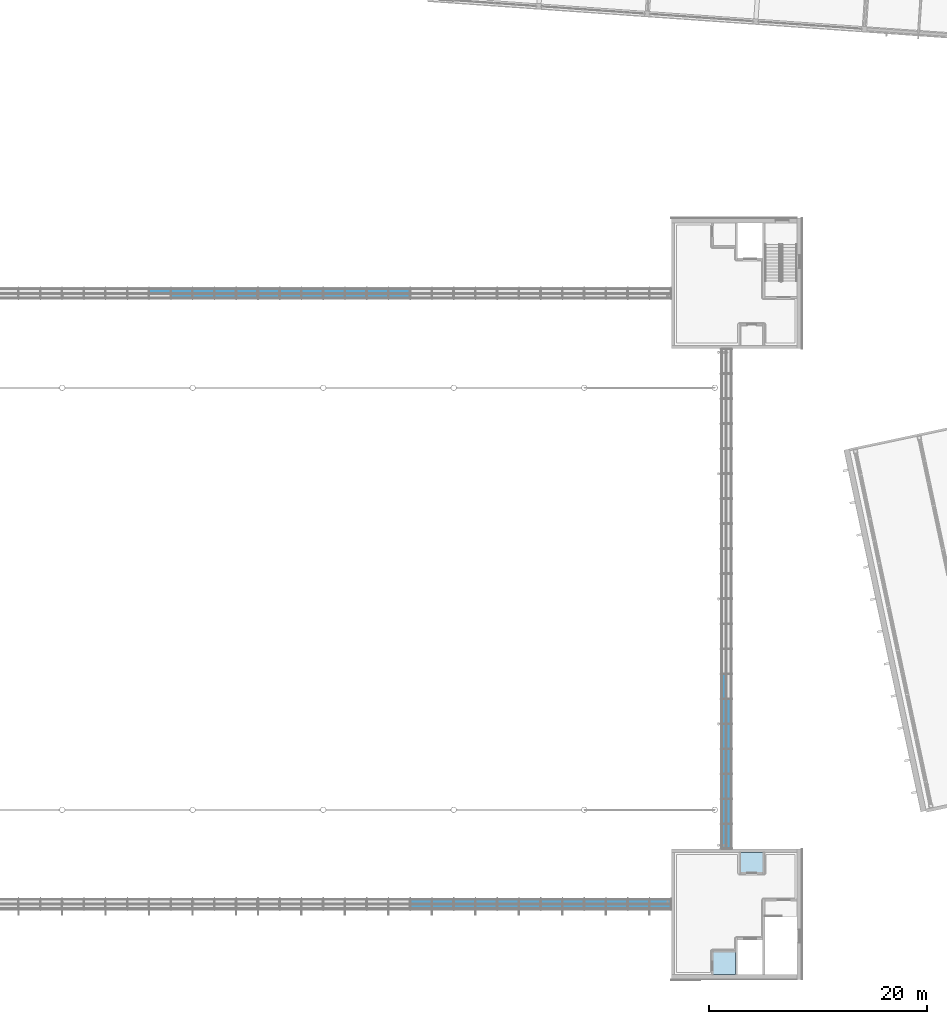
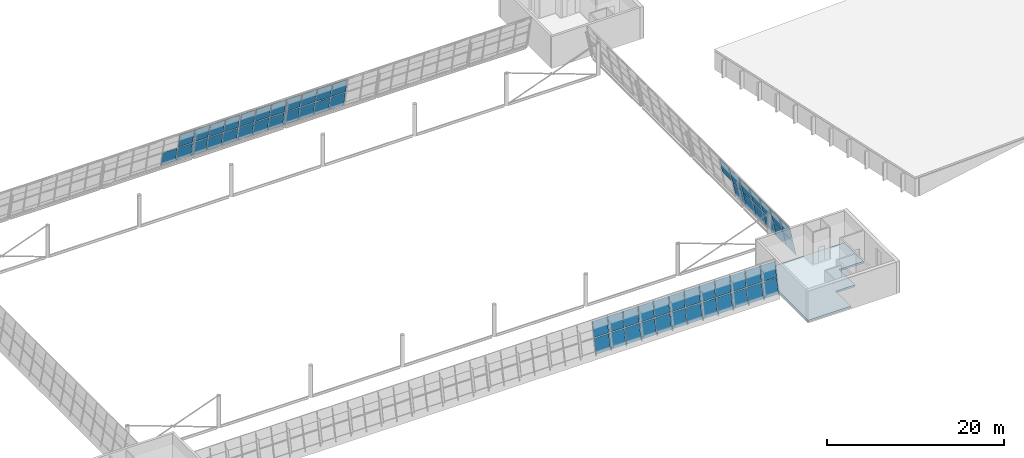
# One storey, part 25 of 50: 60 plates, 1 slab, 4 elements without a shape of their own.
"""IFC4 building model written with IfcOpenShell, lengths in metres."""

from ifc_helpers import new_model, si_unit, direction, frame, origin, place, context, subcontext, project, spatial, polyline, outline, extrude, material, layer, layer_set, type_object, element, aggregate, save


model = new_model("IFC4")

# Units and contexts
model_context = context("Model", 3, precision=1e-05, world=origin(), true_north=direction((0.0, 1.0)))
body_context = subcontext(model_context, "Body", "Model", "MODEL_VIEW")
ifc_project = project(units=[si_unit("LENGTHUNIT", "METRE"), si_unit("AREAUNIT", "SQUARE_METRE"), si_unit("VOLUMEUNIT", "CUBIC_METRE"), si_unit("PLANEANGLEUNIT", "RADIAN"), si_unit("MASSUNIT", "GRAM", prefix="KILO")], contexts=[model_context])

# Site, building, storey
site_placement = place(None, origin())
site = spatial("IfcSite", under=ifc_project, at=site_placement, CompositionType="ELEMENT")
building_placement = place(site_placement, origin())
building = spatial("IfcBuilding", under=site, at=building_placement, Name="Windward Yard Aquatics Centre", CompositionType="ELEMENT")
storey_placement = place(building_placement, frame((0.0, 0.0, 18.199951171875)))
storey = spatial("IfcBuildingStorey", under=building, at=storey_placement, Name="L04", CompositionType="ELEMENT", Elevation=18.199951171875)

# Slab
ifc_material_1 = material(Name="Concrete C35/45", Category="concrete")
ifc_layer_1 = layer(ifc_material_1, 0.25)
ifc_layer_set_1 = layer_set([ifc_layer_1], Name="H Core Floor Concrete C35/45 250")
slab_type = type_object("IfcSlabType", Name="H Core Floor Concrete C35/45 250", PredefinedType="FLOOR", material=ifc_layer_set_1)
slab_placement = place(storey_placement, frame((0.0, 0.0, -0.25)))
element("IfcSlab", 1, at=slab_placement, inside=storey, type_object=slab_type, Name="L04 core floor SE", PredefinedType="FLOOR", context=body_context, shape_type="SweptSolid", body=[
    extrude(outline(polyline([(140.300048828125, 26.449951171875), (145.89990234375, 26.449951171875), (145.89990234375, 29.85009765625), (148.39990234375, 29.85009765625), (148.39990234375, 33.39990234375), (151.550048828125, 33.39990234375), (151.550048828125, 37.699951171875), (140.300048828125, 37.699951171875), (140.300048828125, 26.449951171875)])), origin(), (0.0, 0.0, 1.0), 0.25),
])

# Curtain wall, plates
ifc_material_2 = material(Name="Glass and aluminium curtain wall", Category="aluminium")
ifc_layer_2 = layer(ifc_material_2, 0.179931640625)
ifc_layer_set_2 = layer_set([ifc_layer_2], Name="H curtain wall tier 2 double glazed 6+16+6")
curtain_wall_type = type_object("IfcCurtainWallType", Name="H curtain wall tier 2 double glazed 6+16+6", PredefinedType="NOTDEFINED", material=ifc_layer_set_2)
curtain_wall_1_placement = place(storey_placement, origin())
curtain_wall_1 = element("IfcCurtainWall", 2, at=curtain_wall_1_placement, inside=storey, type_object=curtain_wall_type, Name="Tier 2 glazing S L04", PredefinedType="NOTDEFINED")
ifc_material_3 = material(Name="Low-iron glass", Category="glass")
ifc_layer_3 = layer(ifc_material_3, 0.006, Name="Outer pane")
ifc_material_4 = material(Name="Argon-filled cavity")
ifc_layer_4 = layer(ifc_material_4, 0.016, Name="Cavity")
ifc_layer_5 = layer(ifc_material_3, 0.006, Name="Inner pane")
ifc_layer_set_3 = layer_set([ifc_layer_3, ifc_layer_4, ifc_layer_5], Name="H tier 2 glass low-e double glazed unit 28")
plate_type = type_object("IfcPlateType", Name="H tier 2 glass low-e double glazed unit 28", PredefinedType="CURTAIN_PANEL", material=ifc_layer_set_3)
plate_1_placement = place(storey_placement, frame((116.03564453125, 32.511474609375, 0.100830078125), z_axis=(0.0, -0.979933459069, 0.199324900092), x_axis=(1.0, 0.0, 0.0)))
plate_1 = element("IfcPlate", 3, at=plate_1_placement, type_object=plate_type, Name="G2SB panel 8.1", PredefinedType="CURTAIN_PANEL", context=body_context, shape_type="SweptSolid", body=[
    extrude(outline(polyline([(0.0, 0.0), (1.934814, 0.0), (1.934814, 2.018532), (0.0, 2.018532), (0.0, 0.0)])), origin(), (0.0, 0.0, -1.0), 0.028076171875),
])
plate_2_placement = place(storey_placement, frame((116.03564453125, 32.933837890625, 2.1767578125), z_axis=(0.0, -0.979926619255, 0.199358523457), x_axis=(1.0, 0.0, 0.0)))
plate_2 = element("IfcPlate", 4, at=plate_2_placement, type_object=plate_type, Name="G2SB panel 8.2", PredefinedType="CURTAIN_PANEL", context=body_context, shape_type="SweptSolid", body=[
    extrude(outline(polyline([(0.0, 0.0), (1.934814, 0.0), (1.934814, 2.012069), (0.0, 2.012069), (0.0, 0.0)])), origin(), (0.0, 0.0, -1.0), 0.028076171875),
])
plate_3_placement = place(storey_placement, frame((118.035400390625, 32.511474609375, 0.100830078125), z_axis=(0.0, -0.979933459069, 0.199324900092), x_axis=(1.0, 0.0, 0.0)))
plate_3 = element("IfcPlate", 5, at=plate_3_placement, type_object=plate_type, Name="G2SB panel 9.1", PredefinedType="CURTAIN_PANEL", context=body_context, shape_type="SweptSolid", body=[
    extrude(outline(polyline([(0.0, 0.0), (1.934814, 0.0), (1.934814, 2.018532), (0.0, 2.018532), (0.0, 0.0)])), origin(), (0.0, 0.0, -1.0), 0.028076171875),
])
plate_4_placement = place(storey_placement, frame((118.035400390625, 32.933837890625, 2.1767578125), z_axis=(0.0, -0.979926619255, 0.199358523457), x_axis=(1.0, 0.0, 0.0)))
plate_4 = element("IfcPlate", 6, at=plate_4_placement, type_object=plate_type, Name="G2SB panel 9.2", PredefinedType="CURTAIN_PANEL", context=body_context, shape_type="SweptSolid", body=[
    extrude(outline(polyline([(0.0, 0.0), (1.934814, 0.0), (1.934814, 2.012069), (0.0, 2.012069), (0.0, 0.0)])), origin(), (0.0, 0.0, -1.0), 0.028076171875),
])
plate_5_placement = place(storey_placement, frame((120.03515625, 32.511474609375, 0.100830078125), z_axis=(0.0, -0.979933459069, 0.199324900092), x_axis=(1.0, 0.0, 0.0)))
plate_5 = element("IfcPlate", 7, at=plate_5_placement, type_object=plate_type, Name="G2SB panel 10.1", PredefinedType="CURTAIN_PANEL", context=body_context, shape_type="SweptSolid", body=[
    extrude(outline(polyline([(0.0, 0.0), (1.934814, 0.0), (1.934814, 2.018532), (0.0, 2.018532), (0.0, 0.0)])), origin(), (0.0, 0.0, -1.0), 0.028076171875),
])
plate_6_placement = place(storey_placement, frame((120.03515625, 32.933837890625, 2.1767578125), z_axis=(0.0, -0.979926619255, 0.199358523457), x_axis=(1.0, 0.0, 0.0)))
plate_6 = element("IfcPlate", 8, at=plate_6_placement, type_object=plate_type, Name="G2SB panel 10.2", PredefinedType="CURTAIN_PANEL", context=body_context, shape_type="SweptSolid", body=[
    extrude(outline(polyline([(0.0, 0.0), (1.934814, 0.0), (1.934814, 2.012069), (0.0, 2.012069), (0.0, 0.0)])), origin(), (0.0, 0.0, -1.0), 0.028076171875),
])
plate_7_placement = place(storey_placement, frame((122.034912109375, 32.511474609375, 0.100830078125), z_axis=(0.0, -0.979933459069, 0.199324900092), x_axis=(1.0, 0.0, 0.0)))
plate_7 = element("IfcPlate", 9, at=plate_7_placement, type_object=plate_type, Name="G2SB panel 11.1", PredefinedType="CURTAIN_PANEL", context=body_context, shape_type="SweptSolid", body=[
    extrude(outline(polyline([(0.0, 0.0), (1.934814, 0.0), (1.934814, 2.018532), (0.0, 2.018532), (0.0, 0.0)])), origin(), (0.0, 0.0, -1.0), 0.028076171875),
])
plate_8_placement = place(storey_placement, frame((122.034912109375, 32.933837890625, 2.1767578125), z_axis=(0.0, -0.979926619255, 0.199358523457), x_axis=(1.0, 0.0, 0.0)))
plate_8 = element("IfcPlate", 10, at=plate_8_placement, type_object=plate_type, Name="G2SB panel 11.2", PredefinedType="CURTAIN_PANEL", context=body_context, shape_type="SweptSolid", body=[
    extrude(outline(polyline([(0.0, 0.0), (1.934814, 0.0), (1.934814, 2.012069), (0.0, 2.012069), (0.0, 0.0)])), origin(), (0.0, 0.0, -1.0), 0.028076171875),
])
plate_9_placement = place(storey_placement, frame((124.03466796875, 32.511474609375, 0.100830078125), z_axis=(0.0, -0.979933459069, 0.199324900092), x_axis=(1.0, 0.0, 0.0)))
plate_9 = element("IfcPlate", 11, at=plate_9_placement, type_object=plate_type, Name="G2SB panel 12.1", PredefinedType="CURTAIN_PANEL", context=body_context, shape_type="SweptSolid", body=[
    extrude(outline(polyline([(0.0, 0.0), (1.93457, 0.0), (1.93457, 2.018532), (0.0, 2.018532), (0.0, 0.0)])), origin(), (0.0, 0.0, -1.0), 0.028076171875),
])
plate_10_placement = place(storey_placement, frame((124.03466796875, 32.933837890625, 2.1767578125), z_axis=(0.0, -0.979926619255, 0.199358523457), x_axis=(1.0, 0.0, 0.0)))
plate_10 = element("IfcPlate", 12, at=plate_10_placement, type_object=plate_type, Name="G2SB panel 12.2", PredefinedType="CURTAIN_PANEL", context=body_context, shape_type="SweptSolid", body=[
    extrude(outline(polyline([(0.0, 0.0), (1.93457, 0.0), (1.93457, 2.012069), (0.0, 2.012069), (0.0, 0.0)])), origin(), (0.0, 0.0, -1.0), 0.028076171875),
])
plate_11_placement = place(storey_placement, frame((126.034423828125, 32.511474609375, 0.100830078125), z_axis=(0.0, -0.979933459069, 0.199324900092), x_axis=(1.0, 0.0, 0.0)))
plate_11 = element("IfcPlate", 13, at=plate_11_placement, type_object=plate_type, Name="G2SB panel 13.1", PredefinedType="CURTAIN_PANEL", context=body_context, shape_type="SweptSolid", body=[
    extrude(outline(polyline([(0.0, 0.0), (1.93457, 0.0), (1.93457, 2.018532), (0.0, 2.018532), (0.0, 0.0)])), origin(), (0.0, 0.0, -1.0), 0.028076171875),
])
plate_12_placement = place(storey_placement, frame((126.034423828125, 32.933837890625, 2.1767578125), z_axis=(0.0, -0.979926619255, 0.199358523457), x_axis=(1.0, 0.0, 0.0)))
plate_12 = element("IfcPlate", 14, at=plate_12_placement, type_object=plate_type, Name="G2SB panel 13.2", PredefinedType="CURTAIN_PANEL", context=body_context, shape_type="SweptSolid", body=[
    extrude(outline(polyline([(0.0, 0.0), (1.93457, 0.0), (1.93457, 2.012069), (0.0, 2.012069), (0.0, 0.0)])), origin(), (0.0, 0.0, -1.0), 0.028076171875),
])
plate_13_placement = place(storey_placement, frame((128.0341796875, 32.511474609375, 0.100830078125), z_axis=(0.0, -0.979933459069, 0.199324900092), x_axis=(1.0, 0.0, 0.0)))
plate_13 = element("IfcPlate", 15, at=plate_13_placement, type_object=plate_type, Name="G2SB panel 14.1", PredefinedType="CURTAIN_PANEL", context=body_context, shape_type="SweptSolid", body=[
    extrude(outline(polyline([(0.0, 0.0), (1.93457, 0.0), (1.93457, 2.018532), (0.0, 2.018532), (0.0, 0.0)])), origin(), (0.0, 0.0, -1.0), 0.028076171875),
])
plate_14_placement = place(storey_placement, frame((128.0341796875, 32.933837890625, 2.1767578125), z_axis=(0.0, -0.979926619255, 0.199358523457), x_axis=(1.0, 0.0, 0.0)))
plate_14 = element("IfcPlate", 16, at=plate_14_placement, type_object=plate_type, Name="G2SB panel 14.2", PredefinedType="CURTAIN_PANEL", context=body_context, shape_type="SweptSolid", body=[
    extrude(outline(polyline([(0.0, 0.0), (1.93457, 0.0), (1.93457, 2.012069), (0.0, 2.012069), (0.0, 0.0)])), origin(), (0.0, 0.0, -1.0), 0.028076171875),
])
plate_15_placement = place(storey_placement, frame((130.033935546875, 32.511474609375, 0.100830078125), z_axis=(0.0, -0.979933459069, 0.199324900092), x_axis=(1.0, 0.0, 0.0)))
plate_15 = element("IfcPlate", 17, at=plate_15_placement, type_object=plate_type, Name="G2SB panel 15.1", PredefinedType="CURTAIN_PANEL", context=body_context, shape_type="SweptSolid", body=[
    extrude(outline(polyline([(0.0, 0.0), (1.93457, 0.0), (1.93457, 2.018532), (0.0, 2.018532), (0.0, 0.0)])), origin(), (0.0, 0.0, -1.0), 0.028076171875),
])
plate_16_placement = place(storey_placement, frame((130.033935546875, 32.933837890625, 2.1767578125), z_axis=(0.0, -0.979926619255, 0.199358523457), x_axis=(1.0, 0.0, 0.0)))
plate_16 = element("IfcPlate", 18, at=plate_16_placement, type_object=plate_type, Name="G2SB panel 15.2", PredefinedType="CURTAIN_PANEL", context=body_context, shape_type="SweptSolid", body=[
    extrude(outline(polyline([(0.0, 0.0), (1.93457, 0.0), (1.93457, 2.012069), (0.0, 2.012069), (0.0, 0.0)])), origin(), (0.0, 0.0, -1.0), 0.028076171875),
])
plate_17_placement = place(storey_placement, frame((132.033447265625, 32.511474609375, 0.100830078125), z_axis=(0.0, -0.979933459069, 0.199324900092), x_axis=(1.0, 0.0, 0.0)))
plate_17 = element("IfcPlate", 19, at=plate_17_placement, type_object=plate_type, Name="G2SB panel 16.1", PredefinedType="CURTAIN_PANEL", context=body_context, shape_type="SweptSolid", body=[
    extrude(outline(polyline([(0.0, 0.0), (1.934814, 0.0), (1.934814, 2.018532), (0.0, 2.018532), (0.0, 0.0)])), origin(), (0.0, 0.0, -1.0), 0.028076171875),
])
plate_18_placement = place(storey_placement, frame((132.033447265625, 32.933837890625, 2.1767578125), z_axis=(0.0, -0.979926619255, 0.199358523457), x_axis=(1.0, 0.0, 0.0)))
plate_18 = element("IfcPlate", 20, at=plate_18_placement, type_object=plate_type, Name="G2SB panel 16.2", PredefinedType="CURTAIN_PANEL", context=body_context, shape_type="SweptSolid", body=[
    extrude(outline(polyline([(0.0, 0.0), (1.934814, 0.0), (1.934814, 2.012069), (0.0, 2.012069), (0.0, 0.0)])), origin(), (0.0, 0.0, -1.0), 0.028076171875),
])
plate_19_placement = place(storey_placement, frame((134.033203125, 32.511474609375, 0.100830078125), z_axis=(0.0, -0.979933459069, 0.199324900092), x_axis=(1.0, 0.0, 0.0)))
plate_19 = element("IfcPlate", 21, at=plate_19_placement, type_object=plate_type, Name="G2SB panel 17.1", PredefinedType="CURTAIN_PANEL", context=body_context, shape_type="SweptSolid", body=[
    extrude(outline(polyline([(0.0, 0.0), (1.934814, 0.0), (1.934814, 2.018532), (0.0, 2.018532), (0.0, 0.0)])), origin(), (0.0, 0.0, -1.0), 0.028076171875),
])
plate_20_placement = place(storey_placement, frame((134.033203125, 32.933837890625, 2.1767578125), z_axis=(0.0, -0.979926619255, 0.199358523457), x_axis=(1.0, 0.0, 0.0)))
plate_20 = element("IfcPlate", 22, at=plate_20_placement, type_object=plate_type, Name="G2SB panel 17.2", PredefinedType="CURTAIN_PANEL", context=body_context, shape_type="SweptSolid", body=[
    extrude(outline(polyline([(0.0, 0.0), (1.934814, 0.0), (1.934814, 2.012069), (0.0, 2.012069), (0.0, 0.0)])), origin(), (0.0, 0.0, -1.0), 0.028076171875),
])
plate_21_placement = place(storey_placement, frame((136.032958984375, 32.511474609375, 0.100830078125), z_axis=(0.0, -0.979933459069, 0.199324900092), x_axis=(1.0, 0.0, 0.0)))
plate_21 = element("IfcPlate", 23, at=plate_21_placement, type_object=plate_type, Name="G2SB panel 18.1", PredefinedType="CURTAIN_PANEL", context=body_context, shape_type="SweptSolid", body=[
    extrude(outline(polyline([(0.0, 0.0), (1.934814, 0.0), (1.934814, 2.018532), (0.0, 2.018532), (0.0, 0.0)])), origin(), (0.0, 0.0, -1.0), 0.028076171875),
])
plate_22_placement = place(storey_placement, frame((136.032958984375, 32.933837890625, 2.1767578125), z_axis=(0.0, -0.979926619255, 0.199358523457), x_axis=(1.0, 0.0, 0.0)))
plate_22 = element("IfcPlate", 24, at=plate_22_placement, type_object=plate_type, Name="G2SB panel 18.2", PredefinedType="CURTAIN_PANEL", context=body_context, shape_type="SweptSolid", body=[
    extrude(outline(polyline([(0.0, 0.0), (1.934814, 0.0), (1.934814, 2.012069), (0.0, 2.012069), (0.0, 0.0)])), origin(), (0.0, 0.0, -1.0), 0.028076171875),
])
plate_23_placement = place(storey_placement, frame((138.03271484375, 32.511474609375, 0.100830078125), z_axis=(0.0, -0.979933459069, 0.199324900092), x_axis=(1.0, 0.0, 0.0)))
plate_23 = element("IfcPlate", 25, at=plate_23_placement, type_object=plate_type, Name="G2SB panel 19.1", PredefinedType="CURTAIN_PANEL", context=body_context, shape_type="SweptSolid", body=[
    extrude(outline(polyline([(0.0, 0.0), (1.902344, 0.0), (1.902344, 2.018532), (0.0, 2.018532), (0.0, 0.0)])), origin(), (0.0, 0.0, -1.0), 0.028076171875),
])
plate_24_placement = place(storey_placement, frame((138.03271484375, 32.933837890625, 2.1767578125), z_axis=(0.0, -0.979926619255, 0.199358523457), x_axis=(1.0, 0.0, 0.0)))
plate_24 = element("IfcPlate", 26, at=plate_24_placement, type_object=plate_type, Name="G2SB panel 19.2", PredefinedType="CURTAIN_PANEL", context=body_context, shape_type="SweptSolid", body=[
    extrude(outline(polyline([(0.0, 0.0), (1.902344, 0.0), (1.902344, 2.012069), (0.0, 2.012069), (0.0, 0.0)])), origin(), (0.0, 0.0, -1.0), 0.028076171875),
])
aggregate(curtain_wall_1, [plate_1, plate_2, plate_3, plate_4, plate_5, plate_6, plate_7, plate_8, plate_9, plate_10, plate_11, plate_12, plate_13, plate_14, plate_15, plate_16, plate_17, plate_18, plate_19, plate_20, plate_21, plate_22, plate_23, plate_24])

curtain_wall_2_placement = place(storey_placement, origin())
curtain_wall_2 = element("IfcCurtainWall", 27, at=curtain_wall_2_placement, inside=storey, type_object=curtain_wall_type, Name="Tier 2 glazing N L04", PredefinedType="NOTDEFINED")
plate_25_placement = place(storey_placement, frame((92.02880859375, 89.086181640625, 2.078857421875), z_axis=(0.0, 0.979933459069, 0.199324900092), x_axis=(0.0, 0.199324900092, -0.979933459069)))
plate_25 = element("IfcPlate", 28, at=plate_25_placement, type_object=plate_type, Name="G2NA panel 15.1", PredefinedType="CURTAIN_PANEL", context=body_context, shape_type="SweptSolid", body=[
    extrude(outline(polyline([(0.0, 0.0), (2.018532, 0.0), (2.018532, -1.934814), (0.0, -1.934814), (0.0, 0.0)])), origin(), (0.0, 0.0, -1.0), 0.028076171875),
])
plate_26_placement = place(storey_placement, frame((94.028564453125, 89.086181640625, 2.078857421875), z_axis=(0.0, 0.979933459069, 0.199324900092), x_axis=(0.0, 0.199324900092, -0.979933459069)))
plate_26 = element("IfcPlate", 29, at=plate_26_placement, type_object=plate_type, Name="G2NA panel 16.1", PredefinedType="CURTAIN_PANEL", context=body_context, shape_type="SweptSolid", body=[
    extrude(outline(polyline([(0.0, 0.0), (2.018532, 0.0), (2.018532, -1.934814), (0.0, -1.934814), (0.0, 0.0)])), origin(), (0.0, 0.0, -1.0), 0.028076171875),
])
plate_27_placement = place(storey_placement, frame((94.028564453125, 88.6650390625, 4.1484375), z_axis=(0.0, 0.979926619255, 0.199358523457), x_axis=(0.0, 0.199358523457, -0.979926619255)))
plate_27 = element("IfcPlate", 30, at=plate_27_placement, type_object=plate_type, Name="G2NA panel 16.2", PredefinedType="CURTAIN_PANEL", context=body_context, shape_type="SweptSolid", body=[
    extrude(outline(polyline([(0.0, 0.0), (2.012069, 0.0), (2.012069, -1.934814), (0.0, -1.934814), (0.0, 0.0)])), origin(), (0.0, 0.0, -1.0), 0.028076171875),
])
plate_28_placement = place(storey_placement, frame((96.0283203125, 89.086181640625, 2.078857421875), z_axis=(0.0, 0.979933459069, 0.199324900092), x_axis=(0.0, 0.199324900092, -0.979933459069)))
plate_28 = element("IfcPlate", 31, at=plate_28_placement, type_object=plate_type, Name="G2NA panel 17.1", PredefinedType="CURTAIN_PANEL", context=body_context, shape_type="SweptSolid", body=[
    extrude(outline(polyline([(0.0, 0.0), (2.018532, 0.0), (2.018532, -1.934814), (0.0, -1.934814), (0.0, 0.0)])), origin(), (0.0, 0.0, -1.0), 0.028076171875),
])
plate_29_placement = place(storey_placement, frame((96.0283203125, 88.6650390625, 4.1484375), z_axis=(0.0, 0.979926619255, 0.199358523457), x_axis=(0.0, 0.199358523457, -0.979926619255)))
plate_29 = element("IfcPlate", 32, at=plate_29_placement, type_object=plate_type, Name="G2NA panel 17.2", PredefinedType="CURTAIN_PANEL", context=body_context, shape_type="SweptSolid", body=[
    extrude(outline(polyline([(0.0, 0.0), (2.012069, 0.0), (2.012069, -1.934814), (0.0, -1.934814), (0.0, 0.0)])), origin(), (0.0, 0.0, -1.0), 0.028076171875),
])
plate_30_placement = place(storey_placement, frame((98.028076171875, 89.086181640625, 2.078857421875), z_axis=(0.0, 0.979933459069, 0.199324900092), x_axis=(0.0, 0.199324900092, -0.979933459069)))
plate_30 = element("IfcPlate", 33, at=plate_30_placement, type_object=plate_type, Name="G2NA panel 18.1", PredefinedType="CURTAIN_PANEL", context=body_context, shape_type="SweptSolid", body=[
    extrude(outline(polyline([(0.0, 0.0), (2.018532, 0.0), (2.018532, -1.93457), (0.0, -1.93457), (0.0, 0.0)])), origin(), (0.0, 0.0, -1.0), 0.028076171875),
])
plate_31_placement = place(storey_placement, frame((98.028076171875, 88.6650390625, 4.1484375), z_axis=(0.0, 0.979926619255, 0.199358523457), x_axis=(0.0, 0.199358523457, -0.979926619255)))
plate_31 = element("IfcPlate", 34, at=plate_31_placement, type_object=plate_type, Name="G2NA panel 18.2", PredefinedType="CURTAIN_PANEL", context=body_context, shape_type="SweptSolid", body=[
    extrude(outline(polyline([(0.0, 0.0), (2.012069, 0.0), (2.012069, -1.93457), (0.0, -1.93457), (0.0, 0.0)])), origin(), (0.0, 0.0, -1.0), 0.028076171875),
])
plate_32_placement = place(storey_placement, frame((100.02783203125, 89.086181640625, 2.078857421875), z_axis=(0.0, 0.979933459069, 0.199324900092), x_axis=(0.0, 0.199324900092, -0.979933459069)))
plate_32 = element("IfcPlate", 35, at=plate_32_placement, type_object=plate_type, Name="G2NA panel 19.1", PredefinedType="CURTAIN_PANEL", context=body_context, shape_type="SweptSolid", body=[
    extrude(outline(polyline([(0.0, 0.0), (2.018532, 0.0), (2.018532, -1.9021), (0.0, -1.9021), (0.0, 0.0)])), origin(), (0.0, 0.0, -1.0), 0.028076171875),
])
plate_33_placement = place(storey_placement, frame((100.02783203125, 88.6650390625, 4.1484375), z_axis=(0.0, 0.979926619255, 0.199358523457), x_axis=(0.0, 0.199358523457, -0.979926619255)))
plate_33 = element("IfcPlate", 36, at=plate_33_placement, type_object=plate_type, Name="G2NA panel 19.2", PredefinedType="CURTAIN_PANEL", context=body_context, shape_type="SweptSolid", body=[
    extrude(outline(polyline([(0.0, 0.0), (2.012069, 0.0), (2.012069, -1.9021), (0.0, -1.9021), (0.0, 0.0)])), origin(), (0.0, 0.0, -1.0), 0.028076171875),
])
aggregate(curtain_wall_2, [plate_25, plate_26, plate_27, plate_28, plate_29, plate_30, plate_31, plate_32, plate_33])

curtain_wall_3_placement = place(storey_placement, origin())
curtain_wall_3 = element("IfcCurtainWall", 37, at=curtain_wall_3_placement, inside=storey, type_object=curtain_wall_type, Name="Tier 2 glazing N L04", PredefinedType="NOTDEFINED")
plate_34_placement = place(storey_placement, frame((102.070068359375, 89.086181640625, 2.078857421875), z_axis=(0.0, 0.979933459069, 0.199324900092), x_axis=(0.0, 0.199324900092, -0.979933459069)))
plate_34 = element("IfcPlate", 38, at=plate_34_placement, type_object=plate_type, Name="G2NB panel 1.1", PredefinedType="CURTAIN_PANEL", context=body_context, shape_type="SweptSolid", body=[
    extrude(outline(polyline([(0.0, 0.0), (2.018532, 0.0), (2.018532, -1.9021), (0.0, -1.9021), (0.0, 0.0)])), origin(), (0.0, 0.0, -1.0), 0.028076171875),
])
plate_35_placement = place(storey_placement, frame((102.070068359375, 88.6650390625, 4.1484375), z_axis=(0.0, 0.979926619255, 0.199358523457), x_axis=(0.0, 0.199358523457, -0.979926619255)))
plate_35 = element("IfcPlate", 39, at=plate_35_placement, type_object=plate_type, Name="G2NB panel 1.2", PredefinedType="CURTAIN_PANEL", context=body_context, shape_type="SweptSolid", body=[
    extrude(outline(polyline([(0.0, 0.0), (2.012069, 0.0), (2.012069, -1.9021), (0.0, -1.9021), (0.0, 0.0)])), origin(), (0.0, 0.0, -1.0), 0.028076171875),
])
plate_36_placement = place(storey_placement, frame((104.037353515625, 89.086181640625, 2.078857421875), z_axis=(0.0, 0.979933459069, 0.199324900092), x_axis=(0.0, 0.199324900092, -0.979933459069)))
plate_36 = element("IfcPlate", 40, at=plate_36_placement, type_object=plate_type, Name="G2NB panel 2.1", PredefinedType="CURTAIN_PANEL", context=body_context, shape_type="SweptSolid", body=[
    extrude(outline(polyline([(0.0, 0.0), (2.018532, 0.0), (2.018532, -1.93457), (0.0, -1.93457), (0.0, 0.0)])), origin(), (0.0, 0.0, -1.0), 0.028076171875),
])
plate_37_placement = place(storey_placement, frame((104.037353515625, 88.6650390625, 4.1484375), z_axis=(0.0, 0.979926619255, 0.199358523457), x_axis=(0.0, 0.199358523457, -0.979926619255)))
plate_37 = element("IfcPlate", 41, at=plate_37_placement, type_object=plate_type, Name="G2NB panel 2.2", PredefinedType="CURTAIN_PANEL", context=body_context, shape_type="SweptSolid", body=[
    extrude(outline(polyline([(0.0, 0.0), (2.012069, 0.0), (2.012069, -1.93457), (0.0, -1.93457), (0.0, 0.0)])), origin(), (0.0, 0.0, -1.0), 0.028076171875),
])
plate_38_placement = place(storey_placement, frame((106.036865234375, 89.086181640625, 2.078857421875), z_axis=(0.0, 0.979933459069, 0.199324900092), x_axis=(0.0, 0.199324900092, -0.979933459069)))
plate_38 = element("IfcPlate", 42, at=plate_38_placement, type_object=plate_type, Name="G2NB panel 3.1", PredefinedType="CURTAIN_PANEL", context=body_context, shape_type="SweptSolid", body=[
    extrude(outline(polyline([(0.0, 0.0), (2.018532, 0.0), (2.018532, -1.934814), (0.0, -1.934814), (0.0, 0.0)])), origin(), (0.0, 0.0, -1.0), 0.028076171875),
])
plate_39_placement = place(storey_placement, frame((106.036865234375, 88.6650390625, 4.1484375), z_axis=(0.0, 0.979926619255, 0.199358523457), x_axis=(0.0, 0.199358523457, -0.979926619255)))
plate_39 = element("IfcPlate", 43, at=plate_39_placement, type_object=plate_type, Name="G2NB panel 3.2", PredefinedType="CURTAIN_PANEL", context=body_context, shape_type="SweptSolid", body=[
    extrude(outline(polyline([(0.0, 0.0), (2.012069, 0.0), (2.012069, -1.934814), (0.0, -1.934814), (0.0, 0.0)])), origin(), (0.0, 0.0, -1.0), 0.028076171875),
])
plate_40_placement = place(storey_placement, frame((108.03662109375, 89.086181640625, 2.078857421875), z_axis=(0.0, 0.979933459069, 0.199324900092), x_axis=(0.0, 0.199324900092, -0.979933459069)))
plate_40 = element("IfcPlate", 44, at=plate_40_placement, type_object=plate_type, Name="G2NB panel 4.1", PredefinedType="CURTAIN_PANEL", context=body_context, shape_type="SweptSolid", body=[
    extrude(outline(polyline([(0.0, 0.0), (2.018532, 0.0), (2.018532, -1.934814), (0.0, -1.934814), (0.0, 0.0)])), origin(), (0.0, 0.0, -1.0), 0.028076171875),
])
plate_41_placement = place(storey_placement, frame((108.03662109375, 88.6650390625, 4.1484375), z_axis=(0.0, 0.979926619255, 0.199358523457), x_axis=(0.0, 0.199358523457, -0.979926619255)))
plate_41 = element("IfcPlate", 45, at=plate_41_placement, type_object=plate_type, Name="G2NB panel 4.2", PredefinedType="CURTAIN_PANEL", context=body_context, shape_type="SweptSolid", body=[
    extrude(outline(polyline([(0.0, 0.0), (2.012069, 0.0), (2.012069, -1.934814), (0.0, -1.934814), (0.0, 0.0)])), origin(), (0.0, 0.0, -1.0), 0.028076171875),
])
plate_42_placement = place(storey_placement, frame((110.036376953125, 89.086181640625, 2.078857421875), z_axis=(0.0, 0.979933459069, 0.199324900092), x_axis=(0.0, 0.199324900092, -0.979933459069)))
plate_42 = element("IfcPlate", 46, at=plate_42_placement, type_object=plate_type, Name="G2NB panel 5.1", PredefinedType="CURTAIN_PANEL", context=body_context, shape_type="SweptSolid", body=[
    extrude(outline(polyline([(0.0, 0.0), (2.018532, 0.0), (2.018532, -1.934814), (0.0, -1.934814), (0.0, 0.0)])), origin(), (0.0, 0.0, -1.0), 0.028076171875),
])
plate_43_placement = place(storey_placement, frame((110.036376953125, 88.6650390625, 4.1484375), z_axis=(0.0, 0.979926619255, 0.199358523457), x_axis=(0.0, 0.199358523457, -0.979926619255)))
plate_43 = element("IfcPlate", 47, at=plate_43_placement, type_object=plate_type, Name="G2NB panel 5.2", PredefinedType="CURTAIN_PANEL", context=body_context, shape_type="SweptSolid", body=[
    extrude(outline(polyline([(0.0, 0.0), (2.012069, 0.0), (2.012069, -1.934814), (0.0, -1.934814), (0.0, 0.0)])), origin(), (0.0, 0.0, -1.0), 0.028076171875),
])
plate_44_placement = place(storey_placement, frame((112.0361328125, 89.086181640625, 2.078857421875), z_axis=(0.0, 0.979933459069, 0.199324900092), x_axis=(0.0, 0.199324900092, -0.979933459069)))
plate_44 = element("IfcPlate", 48, at=plate_44_placement, type_object=plate_type, Name="G2NB panel 6.1", PredefinedType="CURTAIN_PANEL", context=body_context, shape_type="SweptSolid", body=[
    extrude(outline(polyline([(0.0, 0.0), (2.018532, 0.0), (2.018532, -1.934814), (0.0, -1.934814), (0.0, 0.0)])), origin(), (0.0, 0.0, -1.0), 0.028076171875),
])
plate_45_placement = place(storey_placement, frame((112.0361328125, 88.6650390625, 4.1484375), z_axis=(0.0, 0.979926619255, 0.199358523457), x_axis=(0.0, 0.199358523457, -0.979926619255)))
plate_45 = element("IfcPlate", 49, at=plate_45_placement, type_object=plate_type, Name="G2NB panel 6.2", PredefinedType="CURTAIN_PANEL", context=body_context, shape_type="SweptSolid", body=[
    extrude(outline(polyline([(0.0, 0.0), (2.012069, 0.0), (2.012069, -1.934814), (0.0, -1.934814), (0.0, 0.0)])), origin(), (0.0, 0.0, -1.0), 0.028076171875),
])
plate_46_placement = place(storey_placement, frame((114.035888671875, 89.086181640625, 2.078857421875), z_axis=(0.0, 0.979933459069, 0.199324900092), x_axis=(0.0, 0.199324900092, -0.979933459069)))
plate_46 = element("IfcPlate", 50, at=plate_46_placement, type_object=plate_type, Name="G2NB panel 7.1", PredefinedType="CURTAIN_PANEL", context=body_context, shape_type="SweptSolid", body=[
    extrude(outline(polyline([(0.0, 0.0), (2.018532, 0.0), (2.018532, -1.934814), (0.0, -1.934814), (0.0, 0.0)])), origin(), (0.0, 0.0, -1.0), 0.028076171875),
])
plate_47_placement = place(storey_placement, frame((114.035888671875, 88.6650390625, 4.1484375), z_axis=(0.0, 0.979926619255, 0.199358523457), x_axis=(0.0, 0.199358523457, -0.979926619255)))
plate_47 = element("IfcPlate", 51, at=plate_47_placement, type_object=plate_type, Name="G2NB panel 7.2", PredefinedType="CURTAIN_PANEL", context=body_context, shape_type="SweptSolid", body=[
    extrude(outline(polyline([(0.0, 0.0), (2.012069, 0.0), (2.012069, -1.934814), (0.0, -1.934814), (0.0, 0.0)])), origin(), (0.0, 0.0, -1.0), 0.028076171875),
])
aggregate(curtain_wall_3, [plate_34, plate_35, plate_36, plate_37, plate_38, plate_39, plate_40, plate_41, plate_42, plate_43, plate_44, plate_45, plate_46, plate_47])

curtain_wall_4_placement = place(storey_placement, origin())
curtain_wall_4 = element("IfcCurtainWall", 52, at=curtain_wall_4_placement, inside=storey, type_object=curtain_wall_type, Name="Tier 2 glazing E L04", PredefinedType="NOTDEFINED")
plate_48_placement = place(storey_placement, frame((145.086181640625, 38.06494140625, 2.078857421875), z_axis=(0.979933459069, 0.0, 0.199324900092), x_axis=(0.199324900092, 0.0, -0.979933459069)))
plate_48 = element("IfcPlate", 53, at=plate_48_placement, type_object=plate_type, Name="G2EA panel 1.1", PredefinedType="CURTAIN_PANEL", context=body_context, shape_type="SweptSolid", body=[
    extrude(outline(polyline([(0.0, 0.0), (2.018532, 0.0), (2.018532, 2.202637), (0.0, 2.202637), (0.0, 0.0)])), origin(), (0.0, 0.0, -1.0), 0.028076171875),
])
plate_49_placement = place(storey_placement, frame((144.6650390625, 38.06494140625, 4.1484375), z_axis=(0.979926619255, 0.0, 0.199358523457), x_axis=(0.199358523457, 0.0, -0.979926619255)))
plate_49 = element("IfcPlate", 54, at=plate_49_placement, type_object=plate_type, Name="G2EA panel 1.2", PredefinedType="CURTAIN_PANEL", context=body_context, shape_type="SweptSolid", body=[
    extrude(outline(polyline([(0.0, 0.0), (2.012069, 0.0), (2.012069, 2.202637), (0.0, 2.202637), (0.0, 0.0)])), origin(), (0.0, 0.0, -1.0), 0.028076171875),
])
plate_50_placement = place(storey_placement, frame((145.086181640625, 40.33251953125, 2.078857421875), z_axis=(0.979933459069, 0.0, 0.199324900092), x_axis=(0.199324900092, 0.0, -0.979933459069)))
plate_50 = element("IfcPlate", 55, at=plate_50_placement, type_object=plate_type, Name="G2EA panel 2.1", PredefinedType="CURTAIN_PANEL", context=body_context, shape_type="SweptSolid", body=[
    extrude(outline(polyline([(0.0, 0.0), (2.018532, 0.0), (2.018532, 2.234863), (0.0, 2.234863), (0.0, 0.0)])), origin(), (0.0, 0.0, -1.0), 0.028076171875),
])
plate_51_placement = place(storey_placement, frame((144.6650390625, 40.33251953125, 4.1484375), z_axis=(0.979926619255, 0.0, 0.199358523457), x_axis=(0.199358523457, 0.0, -0.979926619255)))
plate_51 = element("IfcPlate", 56, at=plate_51_placement, type_object=plate_type, Name="G2EA panel 2.2", PredefinedType="CURTAIN_PANEL", context=body_context, shape_type="SweptSolid", body=[
    extrude(outline(polyline([(0.0, 0.0), (2.012069, 0.0), (2.012069, 2.234863), (0.0, 2.234863), (0.0, 0.0)])), origin(), (0.0, 0.0, -1.0), 0.028076171875),
])
plate_52_placement = place(storey_placement, frame((145.086181640625, 42.632568359375, 2.078857421875), z_axis=(0.979933459069, 0.0, 0.199324900092), x_axis=(0.199324900092, 0.0, -0.979933459069)))
plate_52 = element("IfcPlate", 57, at=plate_52_placement, type_object=plate_type, Name="G2EA panel 3.1", PredefinedType="CURTAIN_PANEL", context=body_context, shape_type="SweptSolid", body=[
    extrude(outline(polyline([(0.0, 0.0), (2.018532, 0.0), (2.018532, 2.234863), (0.0, 2.234863), (0.0, 0.0)])), origin(), (0.0, 0.0, -1.0), 0.028076171875),
])
plate_53_placement = place(storey_placement, frame((144.6650390625, 42.632568359375, 4.1484375), z_axis=(0.979926619255, 0.0, 0.199358523457), x_axis=(0.199358523457, 0.0, -0.979926619255)))
plate_53 = element("IfcPlate", 58, at=plate_53_placement, type_object=plate_type, Name="G2EA panel 3.2", PredefinedType="CURTAIN_PANEL", context=body_context, shape_type="SweptSolid", body=[
    extrude(outline(polyline([(0.0, 0.0), (2.012069, 0.0), (2.012069, 2.234863), (0.0, 2.234863), (0.0, 0.0)])), origin(), (0.0, 0.0, -1.0), 0.028076171875),
])
plate_54_placement = place(storey_placement, frame((145.086181640625, 44.9326171875, 2.078857421875), z_axis=(0.979933459069, 0.0, 0.199324900092), x_axis=(0.199324900092, 0.0, -0.979933459069)))
plate_54 = element("IfcPlate", 59, at=plate_54_placement, type_object=plate_type, Name="G2EA panel 4.1", PredefinedType="CURTAIN_PANEL", context=body_context, shape_type="SweptSolid", body=[
    extrude(outline(polyline([(0.0, 0.0), (2.018532, 0.0), (2.018532, 2.234863), (0.0, 2.234863), (0.0, 0.0)])), origin(), (0.0, 0.0, -1.0), 0.028076171875),
])
plate_55_placement = place(storey_placement, frame((144.6650390625, 44.9326171875, 4.1484375), z_axis=(0.979926619255, 0.0, 0.199358523457), x_axis=(0.199358523457, 0.0, -0.979926619255)))
plate_55 = element("IfcPlate", 60, at=plate_55_placement, type_object=plate_type, Name="G2EA panel 4.2", PredefinedType="CURTAIN_PANEL", context=body_context, shape_type="SweptSolid", body=[
    extrude(outline(polyline([(0.0, 0.0), (2.012069, 0.0), (2.012069, 2.234863), (0.0, 2.234863), (0.0, 0.0)])), origin(), (0.0, 0.0, -1.0), 0.028076171875),
])
plate_56_placement = place(storey_placement, frame((145.086181640625, 47.232421875, 2.078857421875), z_axis=(0.979933459069, 0.0, 0.199324900092), x_axis=(0.199324900092, 0.0, -0.979933459069)))
plate_56 = element("IfcPlate", 61, at=plate_56_placement, type_object=plate_type, Name="G2EA panel 5.1", PredefinedType="CURTAIN_PANEL", context=body_context, shape_type="SweptSolid", body=[
    extrude(outline(polyline([(0.0, 0.0), (2.018532, 0.0), (2.018532, 2.235107), (0.0, 2.235107), (0.0, 0.0)])), origin(), (0.0, 0.0, -1.0), 0.028076171875),
])
plate_57_placement = place(storey_placement, frame((144.6650390625, 47.232421875, 4.1484375), z_axis=(0.979926619255, 0.0, 0.199358523457), x_axis=(0.199358523457, 0.0, -0.979926619255)))
plate_57 = element("IfcPlate", 62, at=plate_57_placement, type_object=plate_type, Name="G2EA panel 5.2", PredefinedType="CURTAIN_PANEL", context=body_context, shape_type="SweptSolid", body=[
    extrude(outline(polyline([(0.0, 0.0), (2.012069, 0.0), (2.012069, 2.235107), (0.0, 2.235107), (0.0, 0.0)])), origin(), (0.0, 0.0, -1.0), 0.028076171875),
])
plate_58_placement = place(storey_placement, frame((145.086181640625, 49.532470703125, 2.078857421875), z_axis=(0.979933459069, 0.0, 0.199324900092), x_axis=(0.199324900092, 0.0, -0.979933459069)))
plate_58 = element("IfcPlate", 63, at=plate_58_placement, type_object=plate_type, Name="G2EA panel 6.1", PredefinedType="CURTAIN_PANEL", context=body_context, shape_type="SweptSolid", body=[
    extrude(outline(polyline([(0.0, 0.0), (2.018532, 0.0), (2.018532, 2.235107), (0.0, 2.235107), (0.0, 0.0)])), origin(), (0.0, 0.0, -1.0), 0.028076171875),
])
plate_59_placement = place(storey_placement, frame((144.6650390625, 49.532470703125, 4.1484375), z_axis=(0.979926619255, 0.0, 0.199358523457), x_axis=(0.199358523457, 0.0, -0.979926619255)))
plate_59 = element("IfcPlate", 64, at=plate_59_placement, type_object=plate_type, Name="G2EA panel 6.2", PredefinedType="CURTAIN_PANEL", context=body_context, shape_type="SweptSolid", body=[
    extrude(outline(polyline([(0.0, 0.0), (2.012069, 0.0), (2.012069, 2.235107), (0.0, 2.235107), (0.0, 0.0)])), origin(), (0.0, 0.0, -1.0), 0.028076171875),
])
plate_60_placement = place(storey_placement, frame((144.6650390625, 51.83251953125, 4.1484375), z_axis=(0.979926619255, 0.0, 0.199358523457), x_axis=(0.199358523457, 0.0, -0.979926619255)))
plate_60 = element("IfcPlate", 65, at=plate_60_placement, type_object=plate_type, Name="G2EA panel 7.2", PredefinedType="CURTAIN_PANEL", context=body_context, shape_type="SweptSolid", body=[
    extrude(outline(polyline([(0.0, 0.0), (2.012069, 0.0), (2.012069, 2.234863), (0.0, 2.234863), (0.0, 0.0)])), origin(), (0.0, 0.0, -1.0), 0.028076171875),
])
aggregate(curtain_wall_4, [plate_48, plate_49, plate_50, plate_51, plate_52, plate_53, plate_54, plate_55, plate_56, plate_57, plate_58, plate_59, plate_60])

save(model, "model.ifc")
